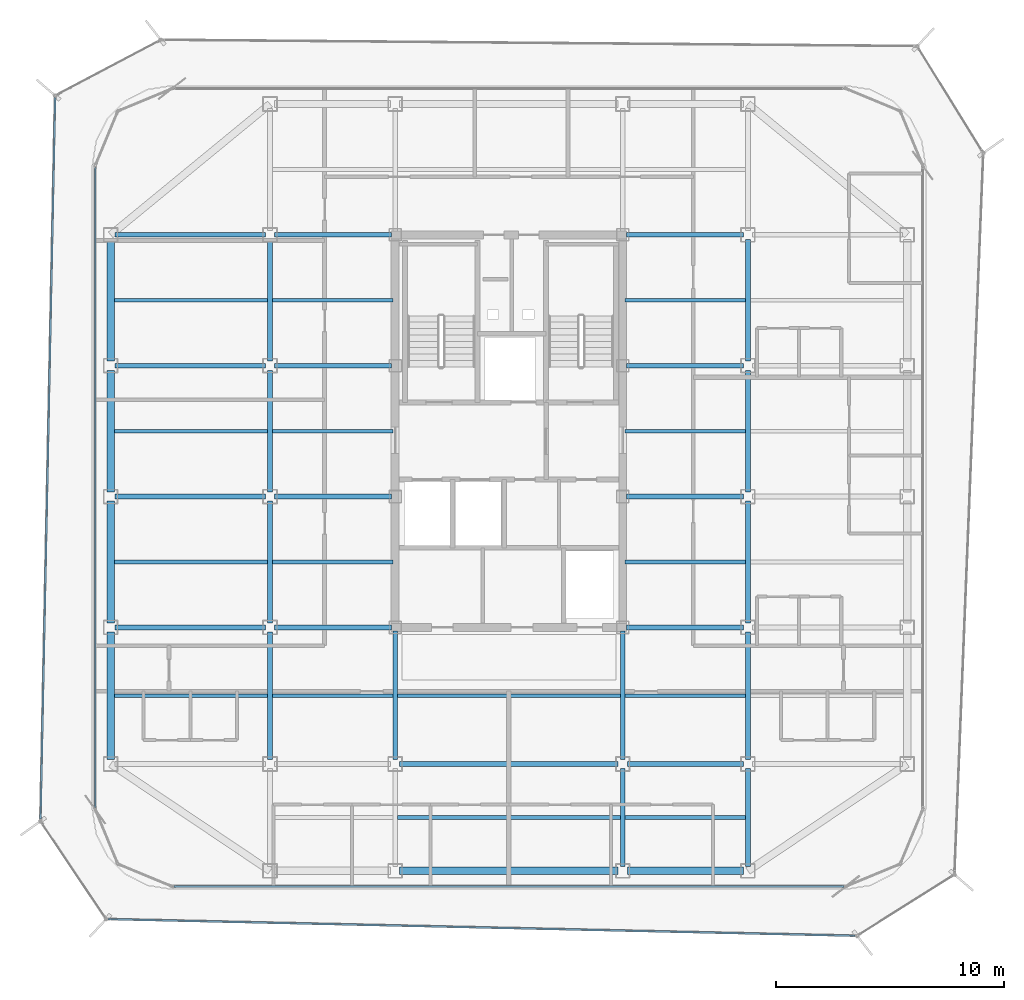
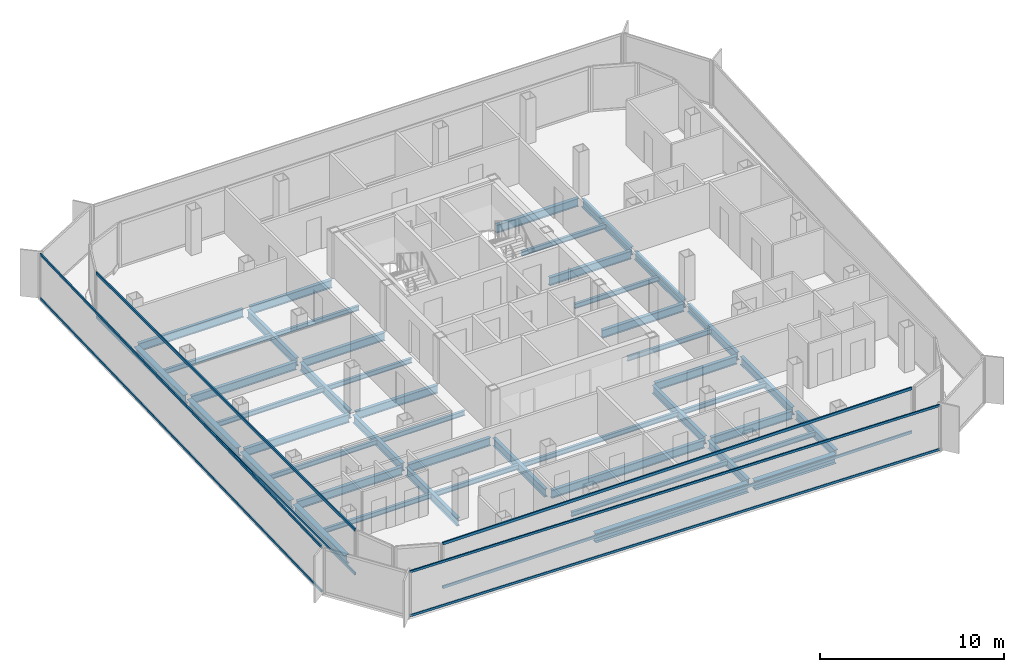
# One storey, part 3 of 15: 47 beams, 8 members, 4 elements without a shape of their own.
"""IFC4 building model written with IfcOpenShell, lengths in metres."""

from ifc_helpers import new_model, si_unit, direction, frame, origin, origin_2d, place, context, subcontext, project, spatial, hollow_rectangle, i_section, extrude, source, transform, mapped, material, layer, layer_set, material_profile, profile_set, type_object, element, aggregate, save


model = new_model("IFC4")

# Units and contexts
model_context = context("Model", 3, precision=1e-05, world=origin(), true_north=direction((0.0, 1.0)))
body_context = subcontext(model_context, "Body", "Model", "MODEL_VIEW")
ifc_project = project(units=[si_unit("LENGTHUNIT", "METRE"), si_unit("AREAUNIT", "SQUARE_METRE"), si_unit("VOLUMEUNIT", "CUBIC_METRE"), si_unit("PLANEANGLEUNIT", "RADIAN"), si_unit("MASSUNIT", "GRAM", prefix="KILO")], contexts=[model_context])

# Site, building, storey
site_placement = place(None, origin())
site = spatial("IfcSite", under=ifc_project, at=site_placement, CompositionType="ELEMENT")
building_placement = place(site_placement, origin())
building = spatial("IfcBuilding", under=site, at=building_placement, Name="Kolveth Station Tower", CompositionType="ELEMENT")
storey_placement = place(building_placement, frame((0.0, 0.0, 239.300048828125)))
storey = spatial("IfcBuildingStorey", under=building, at=storey_placement, Name="L68", CompositionType="ELEMENT", Elevation=239.300048828125)

# Beams
ifc_material_1 = material(Name="Steel S355", Category="steel")
ifc_material_profile_1 = material_profile(ifc_material_1, i_section(OverallWidth=0.323974609375, OverallDepth=0.611083984375, WebThickness=0.0126953125, FlangeThickness=0.01904296875, at=origin_2d()), Name="W610x155")
ifc_profile_set_1 = profile_set([ifc_material_profile_1], Name="Steel S355")
beam_type_1 = type_object("IfcBeamType", Name="Beam_SP2", PredefinedType="SPANDREL", material=ifc_profile_set_1)
shared_shape_1 = source(origin(), body_context, "Body", "SweptSolid", [
    extrude(i_section(OverallWidth=0.323974609375, OverallDepth=0.611083984375, WebThickness=0.0126953125, FlangeThickness=0.01904296875, at=origin_2d()), origin(), (0.0, 0.0, 1.0), 5.10009765625),
])
beam_1_placement = place(storey_placement, frame((28.699951171875, 0.800048828125, -0.525634765625), z_axis=(1.0, 0.0, 0.0), x_axis=(0.0, 1.0, 0.0)))
element("IfcBeam", 1, at=beam_1_placement, inside=storey, type_object=beam_type_1, Name="L68 Perimeter Spandrel BM-L68-PS-3", PredefinedType="SPANDREL", context=body_context, shape_type="MappedRepresentation", body=[
    mapped(shared_shape_1, transform((0.0, 0.0, 0.0), x_axis=(1.0, 0.0, 0.0), y_axis=(0.0, 1.0, 0.0), z_axis=(0.0, 0.0, 1.0), scale=1.0)),
])
shared_shape_2 = source(origin(), body_context, "Body", "SweptSolid", [
    extrude(i_section(OverallWidth=0.323974609375, OverallDepth=0.611083984375, WebThickness=0.0126953125, FlangeThickness=0.01904296875, at=origin_2d()), origin(), (0.0, 0.0, 1.0), 9.60009765625),
])
beam_2_placement = place(storey_placement, frame((18.699951171875, 0.800048828125, -0.525634765625), z_axis=(1.0, 0.0, 0.0), x_axis=(0.0, 1.0, 0.0)))
element("IfcBeam", 2, at=beam_2_placement, inside=storey, type_object=beam_type_1, Name="L68 Perimeter Spandrel BM-L68-PS-2", PredefinedType="SPANDREL", context=body_context, shape_type="MappedRepresentation", body=[
    mapped(shared_shape_2, transform((0.0, 0.0, 0.0), x_axis=(1.0, 0.0, 0.0), y_axis=(0.0, 1.0, 0.0), z_axis=(0.0, 0.0, 1.0), scale=1.0)),
])
shared_shape_3 = source(origin(), body_context, "Body", "SweptSolid", [
    extrude(i_section(OverallWidth=0.323974609375, OverallDepth=0.611083984375, WebThickness=0.0126953125, FlangeThickness=0.01904296875, at=origin_2d()), origin(), (0.0, 0.0, 1.0), 5.60009765625),
])
beam_3_placement = place(storey_placement, frame((6.0, 5.699951171875, -0.525634765625), z_axis=(0.0, 1.0, 0.0), x_axis=(-1.0, 0.0, 0.0)))
element("IfcBeam", 3, at=beam_3_placement, inside=storey, type_object=beam_type_1, Name="L68 Perimeter Spandrel BM-L68-PW-1", PredefinedType="SPANDREL", context=body_context, shape_type="MappedRepresentation", body=[
    mapped(shared_shape_3, transform((0.0, 0.0, 0.0), x_axis=(1.0, 0.0, 0.0), y_axis=(0.0, 1.0, 0.0), z_axis=(0.0, 0.0, 1.0), scale=1.0)),
])
shared_shape_4 = source(origin(), body_context, "Body", "SweptSolid", [
    extrude(i_section(OverallWidth=0.323974609375, OverallDepth=0.611083984375, WebThickness=0.0126953125, FlangeThickness=0.01904296875, at=origin_2d()), origin(), (0.0, 0.0, 1.0), 5.35009765625),
])
for number, where, z_axis, x_axis, name in (
    (4, (6.0, 11.699951171875, -0.525634765625), (0.0, 1.0, 0.0), (-1.0, 0.0, 0.0), "L68 Perimeter Spandrel BM-L68-PW-2"),
    (5, (6.0, 17.449951171875, -0.525634765625), (0.0, 1.0, 0.0), (-1.0, 0.0, 0.0), "L68 Perimeter Spandrel BM-L68-PW-3"),
    (6, (6.0, 23.199951171875, -0.525634765625), (0.0, 1.0, 0.0), (-1.0, 0.0, 0.0), "L68 Perimeter Spandrel BM-L68-PW-4"),
):
    element("IfcBeam", number, at=place(storey_placement, frame(where, z_axis=z_axis, x_axis=x_axis)), inside=storey, type_object=beam_type_1, Name=name, PredefinedType="SPANDREL", context=body_context, shape_type="MappedRepresentation", body=[
        mapped(shared_shape_4, transform((0.0, 0.0, 0.0), x_axis=(1.0, 0.0, 0.0), y_axis=(0.0, 1.0, 0.0), z_axis=(0.0, 0.0, 1.0), scale=1.0)),
    ])
ifc_material_profile_2 = material_profile(ifc_material_1, i_section(OverallWidth=0.2099609375, OverallDepth=0.537109375, WebThickness=0.010986328125, FlangeThickness=0.017333984375, at=origin_2d()), Name="W530x101")
ifc_profile_set_2 = profile_set([ifc_material_profile_2], Name="Steel S355")
beam_type_2 = type_object("IfcBeamType", Name="Beam_B6", PredefinedType="BEAM", material=ifc_profile_set_2)
shared_shape_5 = source(origin(), body_context, "Body", "SweptSolid", [
    extrude(i_section(OverallWidth=0.2099609375, OverallDepth=0.537109375, WebThickness=0.010986328125, FlangeThickness=0.017333984375, at=origin_2d()), origin(), (0.0, 0.0, 1.0), 6.60009765625),
])
for number, where, z_axis, x_axis, name in (
    (7, (6.199951171875, 11.5, -0.488525390625), (1.0, 0.0, 0.0), (0.0, 1.0, 0.0), "L68 Primary Girder BM-L68-GY115-1"),
    (8, (6.199951171875, 17.25, -0.488525390625), (1.0, 0.0, 0.0), (0.0, 1.0, 0.0), "L68 Primary Girder BM-L68-GY172-1"),
    (9, (6.199951171875, 23.0, -0.488525390625), (1.0, 0.0, 0.0), (0.0, 1.0, 0.0), "L68 Primary Girder BM-L68-GY230-1"),
    (10, (6.199951171875, 28.75, -0.488525390625), (1.0, 0.0, 0.0), (0.0, 1.0, 0.0), "L68 Primary Girder BM-L68-GY287-1"),
):
    element("IfcBeam", number, at=place(storey_placement, frame(where, z_axis=z_axis, x_axis=x_axis)), inside=storey, type_object=beam_type_2, Name=name, PredefinedType="BEAM", context=body_context, shape_type="MappedRepresentation", body=[
        mapped(shared_shape_5, transform((0.0, 0.0, 0.0), x_axis=(1.0, 0.0, 0.0), y_axis=(0.0, 1.0, 0.0), z_axis=(0.0, 0.0, 1.0), scale=1.0)),
    ])
shared_shape_6 = source(origin(), body_context, "Body", "SweptSolid", [
    extrude(i_section(OverallWidth=0.2099609375, OverallDepth=0.537109375, WebThickness=0.010986328125, FlangeThickness=0.017333984375, at=origin_2d()), origin(), (0.0, 0.0, 1.0), 5.10009765625),
])
beam_4_placement = place(storey_placement, frame((28.699951171875, 5.5, -0.488525390625), z_axis=(1.0, 0.0, 0.0), x_axis=(0.0, 1.0, 0.0)))
element("IfcBeam", 11, at=beam_4_placement, inside=storey, type_object=beam_type_2, Name="L68 Primary Girder BM-L68-GY55-4", PredefinedType="BEAM", context=body_context, shape_type="MappedRepresentation", body=[
    mapped(shared_shape_6, transform((0.0, 0.0, 0.0), x_axis=(1.0, 0.0, 0.0), y_axis=(0.0, 1.0, 0.0), z_axis=(0.0, 0.0, 1.0), scale=1.0)),
])
shared_shape_7 = source(origin(), body_context, "Body", "SweptSolid", [
    extrude(i_section(OverallWidth=0.2099609375, OverallDepth=0.537109375, WebThickness=0.010986328125, FlangeThickness=0.017333984375, at=origin_2d()), origin(), (0.0, 0.0, 1.0), 9.60009765625),
])
beam_5_placement = place(storey_placement, frame((18.699951171875, 5.5, -0.488525390625), z_axis=(1.0, 0.0, 0.0), x_axis=(0.0, 1.0, 0.0)))
element("IfcBeam", 12, at=beam_5_placement, inside=storey, type_object=beam_type_2, Name="L68 Primary Girder BM-L68-GY55-3", PredefinedType="BEAM", context=body_context, shape_type="MappedRepresentation", body=[
    mapped(shared_shape_7, transform((0.0, 0.0, 0.0), x_axis=(1.0, 0.0, 0.0), y_axis=(0.0, 1.0, 0.0), z_axis=(0.0, 0.0, 1.0), scale=1.0)),
])
shared_shape_8 = source(origin(), body_context, "Body", "SweptSolid", [
    extrude(i_section(OverallWidth=0.2099609375, OverallDepth=0.537109375, WebThickness=0.010986328125, FlangeThickness=0.017333984375, at=origin_2d()), origin(), (0.0, 0.0, 1.0), 5.14013671875),
])
for number, where, z_axis, x_axis, name in (
    (13, (13.199951171875, 11.5, -0.488525390625), (1.0, 0.0, 0.0), (0.0, 1.0, 0.0), "L68 Primary Girder BM-L68-GY115-2"),
    (14, (28.659912109375, 11.5, -0.488525390625), (1.0, 0.0, 0.0), (0.0, 1.0, 0.0), "L68 Primary Girder BM-L68-GY115-4"),
    (15, (13.199951171875, 17.25, -0.488525390625), (1.0, 0.0, 0.0), (0.0, 1.0, 0.0), "L68 Primary Girder BM-L68-GY172-2"),
    (16, (28.659912109375, 17.25, -0.488525390625), (1.0, 0.0, 0.0), (0.0, 1.0, 0.0), "L68 Primary Girder BM-L68-GY172-4"),
    (17, (13.199951171875, 23.0, -0.488525390625), (1.0, 0.0, 0.0), (0.0, 1.0, 0.0), "L68 Primary Girder BM-L68-GY230-2"),
    (18, (28.659912109375, 23.0, -0.488525390625), (1.0, 0.0, 0.0), (0.0, 1.0, 0.0), "L68 Primary Girder BM-L68-GY230-4"),
    (19, (13.199951171875, 28.75, -0.488525390625), (1.0, 0.0, 0.0), (0.0, 1.0, 0.0), "L68 Primary Girder BM-L68-GY287-2"),
    (20, (28.659912109375, 28.75, -0.488525390625), (1.0, 0.0, 0.0), (0.0, 1.0, 0.0), "L68 Primary Girder BM-L68-GY287-4"),
):
    element("IfcBeam", number, at=place(storey_placement, frame(where, z_axis=z_axis, x_axis=x_axis)), inside=storey, type_object=beam_type_2, Name=name, PredefinedType="BEAM", context=body_context, shape_type="MappedRepresentation", body=[
        mapped(shared_shape_8, transform((0.0, 0.0, 0.0), x_axis=(1.0, 0.0, 0.0), y_axis=(0.0, 1.0, 0.0), z_axis=(0.0, 0.0, 1.0), scale=1.0)),
    ])
shared_shape_9 = source(origin(), body_context, "Body", "SweptSolid", [
    extrude(i_section(OverallWidth=0.2099609375, OverallDepth=0.537109375, WebThickness=0.010986328125, FlangeThickness=0.017333984375, at=origin_2d()), origin(), (0.0, 0.0, 1.0), 4.300048828125),
])
for number, where, z_axis, x_axis, name in (
    (21, (28.5, 1.0, -0.488525390625), (0.0, 1.0, 0.0), (-1.0, 0.0, 0.0), "L68 Primary Girder BM-L68-GX285-1"),
    (22, (34.0, 1.0, -0.488525390625), (0.0, 1.0, 0.0), (-1.0, 0.0, 0.0), "L68 Primary Girder BM-L68-GX340-1"),
):
    element("IfcBeam", number, at=place(storey_placement, frame(where, z_axis=z_axis, x_axis=x_axis)), inside=storey, type_object=beam_type_2, Name=name, PredefinedType="BEAM", context=body_context, shape_type="MappedRepresentation", body=[
        mapped(shared_shape_9, transform((0.0, 0.0, 0.0), x_axis=(1.0, 0.0, 0.0), y_axis=(0.0, 1.0, 0.0), z_axis=(0.0, 0.0, 1.0), scale=1.0)),
    ])
shared_shape_10 = source(origin(), body_context, "Body", "SweptSolid", [
    extrude(i_section(OverallWidth=0.2099609375, OverallDepth=0.537109375, WebThickness=0.010986328125, FlangeThickness=0.017333984375, at=origin_2d()), origin(), (0.0, 0.0, 1.0), 5.60009765625),
])
for number, where, z_axis, x_axis, name in (
    (23, (13.0, 5.699951171875, -0.488525390625), (0.0, 1.0, 0.0), (-1.0, 0.0, 0.0), "L68 Primary Girder BM-L68-GX130-2"),
    (24, (34.0, 5.699951171875, -0.488525390625), (0.0, 1.0, 0.0), (-1.0, 0.0, 0.0), "L68 Primary Girder BM-L68-GX340-2"),
):
    element("IfcBeam", number, at=place(storey_placement, frame(where, z_axis=z_axis, x_axis=x_axis)), inside=storey, type_object=beam_type_2, Name=name, PredefinedType="BEAM", context=body_context, shape_type="MappedRepresentation", body=[
        mapped(shared_shape_10, transform((0.0, 0.0, 0.0), x_axis=(1.0, 0.0, 0.0), y_axis=(0.0, 1.0, 0.0), z_axis=(0.0, 0.0, 1.0), scale=1.0)),
    ])
shared_shape_11 = source(origin(), body_context, "Body", "SweptSolid", [
    extrude(i_section(OverallWidth=0.2099609375, OverallDepth=0.537109375, WebThickness=0.010986328125, FlangeThickness=0.017333984375, at=origin_2d()), origin(), (0.0, 0.0, 1.0), 5.35009765625),
])
for number, where, z_axis, x_axis, name in (
    (25, (13.0, 11.699951171875, -0.488525390625), (0.0, 1.0, 0.0), (-1.0, 0.0, 0.0), "L68 Primary Girder BM-L68-GX130-3"),
    (26, (13.0, 17.449951171875, -0.488525390625), (0.0, 1.0, 0.0), (-1.0, 0.0, 0.0), "L68 Primary Girder BM-L68-GX130-4"),
    (27, (13.0, 23.199951171875, -0.488525390625), (0.0, 1.0, 0.0), (-1.0, 0.0, 0.0), "L68 Primary Girder BM-L68-GX130-5"),
    (28, (34.0, 11.699951171875, -0.488525390625), (0.0, 1.0, 0.0), (-1.0, 0.0, 0.0), "L68 Primary Girder BM-L68-GX340-3"),
    (29, (34.0, 17.449951171875, -0.488525390625), (0.0, 1.0, 0.0), (-1.0, 0.0, 0.0), "L68 Primary Girder BM-L68-GX340-4"),
    (30, (34.0, 23.199951171875, -0.488525390625), (0.0, 1.0, 0.0), (-1.0, 0.0, 0.0), "L68 Primary Girder BM-L68-GX340-5"),
):
    element("IfcBeam", number, at=place(storey_placement, frame(where, z_axis=z_axis, x_axis=x_axis)), inside=storey, type_object=beam_type_2, Name=name, PredefinedType="BEAM", context=body_context, shape_type="MappedRepresentation", body=[
        mapped(shared_shape_11, transform((0.0, 0.0, 0.0), x_axis=(1.0, 0.0, 0.0), y_axis=(0.0, 1.0, 0.0), z_axis=(0.0, 0.0, 1.0), scale=1.0)),
    ])
shared_shape_12 = source(origin(), body_context, "Body", "SweptSolid", [
    extrude(i_section(OverallWidth=0.2099609375, OverallDepth=0.537109375, WebThickness=0.010986328125, FlangeThickness=0.017333984375, at=origin_2d()), origin(), (0.0, 0.0, 1.0), 5.64013671875),
])
for number, where, z_axis, x_axis, name in (
    (31, (18.5, 5.699951171875, -0.488525390625), (0.0, 1.0, 0.0), (-1.0, 0.0, 0.0), "L68 Primary Girder BM-L68-GX185-2"),
    (32, (28.5, 5.699951171875, -0.488525390625), (0.0, 1.0, 0.0), (-1.0, 0.0, 0.0), "L68 Primary Girder BM-L68-GX285-2"),
):
    element("IfcBeam", number, at=place(storey_placement, frame(where, z_axis=z_axis, x_axis=x_axis)), inside=storey, type_object=beam_type_2, Name=name, PredefinedType="BEAM", context=body_context, shape_type="MappedRepresentation", body=[
        mapped(shared_shape_12, transform((0.0, 0.0, 0.0), x_axis=(1.0, 0.0, 0.0), y_axis=(0.0, 1.0, 0.0), z_axis=(0.0, 0.0, 1.0), scale=1.0)),
    ])
ifc_material_profile_3 = material_profile(ifc_material_1, i_section(OverallWidth=0.1650390625, OverallDepth=0.31005859375, WebThickness=0.005859375, FlangeThickness=0.009765625, at=origin_2d()), Name="W310x39")
ifc_profile_set_3 = profile_set([ifc_material_profile_3], Name="Steel S355")
beam_type_3 = type_object("IfcBeamType", Name="Beam_J3", PredefinedType="JOIST", material=ifc_profile_set_3)
shared_shape_13 = source(origin(), body_context, "Body", "SweptSolid", [
    extrude(i_section(OverallWidth=0.1650390625, OverallDepth=0.31005859375, WebThickness=0.005859375, FlangeThickness=0.009765625, at=origin_2d()), origin(), (0.0, 0.0, 1.0), 6.737060546875),
])
for number, where, z_axis, x_axis, name in (
    (33, (6.159912109375, 8.5, -0.375), (1.0, 0.0, 0.0), (0.0, 1.0, 0.0), "L68 Secondary Joist JST-L68-1-2"),
    (34, (6.159912109375, 14.375, -0.375), (1.0, 0.0, 0.0), (0.0, 1.0, 0.0), "L68 Secondary Joist JST-L68-1-3"),
    (35, (6.159912109375, 20.125, -0.375), (1.0, 0.0, 0.0), (0.0, 1.0, 0.0), "L68 Secondary Joist JST-L68-1-4"),
    (36, (6.159912109375, 25.875, -0.375), (1.0, 0.0, 0.0), (0.0, 1.0, 0.0), "L68 Secondary Joist JST-L68-1-5"),
):
    element("IfcBeam", number, at=place(storey_placement, frame(where, z_axis=z_axis, x_axis=x_axis)), inside=storey, type_object=beam_type_3, Name=name, PredefinedType="JOIST", context=body_context, shape_type="MappedRepresentation", body=[
        mapped(shared_shape_13, transform((0.0, 0.0, 0.0), x_axis=(1.0, 0.0, 0.0), y_axis=(0.0, 1.0, 0.0), z_axis=(0.0, 0.0, 1.0), scale=1.0)),
    ])
shared_shape_14 = source(origin(), body_context, "Body", "SweptSolid", [
    extrude(i_section(OverallWidth=0.1650390625, OverallDepth=0.31005859375, WebThickness=0.005859375, FlangeThickness=0.009765625, at=origin_2d()), origin(), (0.0, 0.0, 1.0), 5.2939453125),
])
for number, where, z_axis, x_axis, name in (
    (37, (13.10302734375, 8.5, -0.375), (1.0, 0.0, 0.0), (0.0, 1.0, 0.0), "L68 Secondary Joist JST-L68-2-2"),
    (38, (13.10302734375, 14.375, -0.375), (1.0, 0.0, 0.0), (0.0, 1.0, 0.0), "L68 Secondary Joist JST-L68-2-3"),
    (39, (13.10302734375, 20.125, -0.375), (1.0, 0.0, 0.0), (0.0, 1.0, 0.0), "L68 Secondary Joist JST-L68-2-4"),
    (40, (13.10302734375, 25.875, -0.375), (1.0, 0.0, 0.0), (0.0, 1.0, 0.0), "L68 Secondary Joist JST-L68-2-5"),
    (41, (28.60302734375, 3.14990234375, -0.375), (1.0, 0.0, 0.0), (0.0, 1.0, 0.0), "L68 Secondary Joist JST-L68-4-1"),
    (42, (28.60302734375, 8.5, -0.375), (1.0, 0.0, 0.0), (0.0, 1.0, 0.0), "L68 Secondary Joist JST-L68-4-2"),
    (43, (28.60302734375, 14.375, -0.375), (1.0, 0.0, 0.0), (0.0, 1.0, 0.0), "L68 Secondary Joist JST-L68-4-3"),
    (44, (28.60302734375, 20.125, -0.375), (1.0, 0.0, 0.0), (0.0, 1.0, 0.0), "L68 Secondary Joist JST-L68-4-4"),
    (45, (28.60302734375, 25.875, -0.375), (1.0, 0.0, 0.0), (0.0, 1.0, 0.0), "L68 Secondary Joist JST-L68-4-5"),
):
    element("IfcBeam", number, at=place(storey_placement, frame(where, z_axis=z_axis, x_axis=x_axis)), inside=storey, type_object=beam_type_3, Name=name, PredefinedType="JOIST", context=body_context, shape_type="MappedRepresentation", body=[
        mapped(shared_shape_14, transform((0.0, 0.0, 0.0), x_axis=(1.0, 0.0, 0.0), y_axis=(0.0, 1.0, 0.0), z_axis=(0.0, 0.0, 1.0), scale=1.0)),
    ])
shared_shape_15 = source(origin(), body_context, "Body", "SweptSolid", [
    extrude(i_section(OverallWidth=0.1650390625, OverallDepth=0.31005859375, WebThickness=0.005859375, FlangeThickness=0.009765625, at=origin_2d()), origin(), (0.0, 0.0, 1.0), 9.7939453125),
])
for number, where, z_axis, x_axis, name in (
    (46, (18.60302734375, 3.14990234375, -0.375), (1.0, 0.0, 0.0), (0.0, 1.0, 0.0), "L68 Secondary Joist JST-L68-3-1"),
    (47, (18.60302734375, 8.5, -0.375), (1.0, 0.0, 0.0), (0.0, 1.0, 0.0), "L68 Secondary Joist JST-L68-3-2"),
):
    element("IfcBeam", number, at=place(storey_placement, frame(where, z_axis=z_axis, x_axis=x_axis)), inside=storey, type_object=beam_type_3, Name=name, PredefinedType="JOIST", context=body_context, shape_type="MappedRepresentation", body=[
        mapped(shared_shape_15, transform((0.0, 0.0, 0.0), x_axis=(1.0, 0.0, 0.0), y_axis=(0.0, 1.0, 0.0), z_axis=(0.0, 0.0, 1.0), scale=1.0)),
    ])

# Curtain wall, members
ifc_material_2 = material(Name="Aluminium 6063-T6 and triple low-E dark glass", Category="aluminium")
ifc_layer_1 = layer(ifc_material_2, 0.199951171875)
ifc_layer_set_1 = layer_set([ifc_layer_1], Name="Aluminium 6063-T6 and triple low-E dark glass")
curtain_wall_type_1 = type_object("IfcCurtainWallType", Name="CurtainWall_CW-Z3", PredefinedType="NOTDEFINED", material=ifc_layer_set_1)
curtain_wall_1_placement = place(storey_placement, origin())
curtain_wall_1 = element("IfcCurtainWall", 48, at=curtain_wall_1_placement, inside=storey, type_object=curtain_wall_type_1, Name="L68 Inner Thermal Curtain Wall 9", PredefinedType="NOTDEFINED")
ifc_material_3 = material(Name="Black anodized aluminium 6063-T6", Category="aluminium")
ifc_material_profile_4 = material_profile(ifc_material_3, hollow_rectangle(XDim=0.0849609375, YDim=0.179931640625, WallThickness=0.0048828125, at=origin_2d()), Name="ALU-85x180x5")
ifc_profile_set_4 = profile_set([ifc_material_profile_4], Name="Black anodized aluminium 6063-T6")
member_type_1 = type_object("IfcMemberType", Name="Transom_TR3", PredefinedType="USERDEFINED", material=ifc_profile_set_4)
shared_shape_16 = source(origin(), body_context, "Body", "SweptSolid", [
    extrude(hollow_rectangle(XDim=0.0849609375, YDim=0.179931640625, WallThickness=0.0048828125, at=origin_2d()), origin(), (0.0, 0.0, 1.0), 28.130126953125),
])
member_1_placement = place(storey_placement, frame((5.320068359375, 31.715087890625, 0.04248046875), z_axis=(0.0, -1.0, 0.0), x_axis=(1.0, 0.0, 0.0)))
member_1 = element("IfcMember", 49, at=member_1_placement, type_object=member_type_1, Name="CW-Z3 transom 1.1", ObjectType="TRANSOM", PredefinedType="USERDEFINED", context=body_context, shape_type="MappedRepresentation", body=[
    mapped(shared_shape_16, transform((0.0, 0.0, 0.0), x_axis=(1.0, 0.0, 0.0), y_axis=(0.0, 1.0, 0.0), z_axis=(0.0, 0.0, 1.0), scale=1.0)),
])
member_2_placement = place(storey_placement, frame((5.320068359375, 31.715087890625, 2.9375), z_axis=(0.0, -1.0, 0.0), x_axis=(1.0, 0.0, 0.0)))
member_2 = element("IfcMember", 50, at=member_2_placement, type_object=member_type_1, Name="CW-Z3 transom 1.2", ObjectType="TRANSOM", PredefinedType="USERDEFINED", context=body_context, shape_type="MappedRepresentation", body=[
    mapped(shared_shape_16, transform((0.0, 0.0, 0.0), x_axis=(1.0, 0.0, 0.0), y_axis=(0.0, 1.0, 0.0), z_axis=(0.0, 0.0, 1.0), scale=1.0)),
])
aggregate(curtain_wall_1, [member_1, member_2])

curtain_wall_2_placement = place(storey_placement, origin())
curtain_wall_2 = element("IfcCurtainWall", 51, at=curtain_wall_2_placement, inside=storey, type_object=curtain_wall_type_1, Name="L68 Inner Thermal Curtain Wall 12", PredefinedType="NOTDEFINED")
shared_shape_17 = source(origin(), body_context, "Body", "SweptSolid", [
    extrude(hollow_rectangle(XDim=0.0849609375, YDim=0.179931640625, WallThickness=0.0048828125, at=origin_2d()), origin(), (0.0, 0.0, 1.0), 29.43017578125),
])
member_3_placement = place(storey_placement, frame((8.784912109375, 0.1201171875, 0.04248046875), z_axis=(1.0, 0.0, 0.0), x_axis=(0.0, 1.0, 0.0)))
member_3 = element("IfcMember", 52, at=member_3_placement, type_object=member_type_1, Name="CW-Z3 transom 1.1", ObjectType="TRANSOM", PredefinedType="USERDEFINED", context=body_context, shape_type="MappedRepresentation", body=[
    mapped(shared_shape_17, transform((0.0, 0.0, 0.0), x_axis=(1.0, 0.0, 0.0), y_axis=(0.0, 1.0, 0.0), z_axis=(0.0, 0.0, 1.0), scale=1.0)),
])
member_4_placement = place(storey_placement, frame((8.784912109375, 0.1201171875, 2.9375), z_axis=(1.0, 0.0, 0.0), x_axis=(0.0, 1.0, 0.0)))
member_4 = element("IfcMember", 53, at=member_4_placement, type_object=member_type_1, Name="CW-Z3 transom 1.2", ObjectType="TRANSOM", PredefinedType="USERDEFINED", context=body_context, shape_type="MappedRepresentation", body=[
    mapped(shared_shape_17, transform((0.0, 0.0, 0.0), x_axis=(1.0, 0.0, 0.0), y_axis=(0.0, 1.0, 0.0), z_axis=(0.0, 0.0, 1.0), scale=1.0)),
])
aggregate(curtain_wall_2, [member_3, member_4])

ifc_material_4 = material(Name="Black anodized aluminium 6063-T6 and dark solar glass", Category="aluminium")
ifc_layer_2 = layer(ifc_material_4, 0.159912109375)
ifc_layer_set_2 = layer_set([ifc_layer_2], Name="Black anodized aluminium 6063-T6 and dark solar glass")
curtain_wall_type_2 = type_object("IfcCurtainWallType", Name="OUTER SKIN CW-OS", PredefinedType="NOTDEFINED", material=ifc_layer_set_2)
curtain_wall_3_placement = place(storey_placement, origin())
curtain_wall_3 = element("IfcCurtainWall", 54, at=curtain_wall_3_placement, inside=storey, type_object=curtain_wall_type_2, Name="L68 Outer Ventilated Skin Curtain Wall 6", PredefinedType="NOTDEFINED")
ifc_material_profile_5 = material_profile(ifc_material_3, hollow_rectangle(XDim=0.080078125, YDim=0.14990234375, WallThickness=0.0048828125, at=origin_2d()), Name="ALU-80x150x5")
ifc_profile_set_5 = profile_set([ifc_material_profile_5], Name="Black anodized aluminium 6063-T6")
member_type_2 = type_object("IfcMemberType", Name="Transom_TR-OS", PredefinedType="USERDEFINED", material=ifc_profile_set_5)
shared_shape_18 = source(origin(), body_context, "Body", "SweptSolid", [
    extrude(hollow_rectangle(XDim=0.080078125, YDim=0.14990234375, WallThickness=0.0048828125, at=origin_2d()), origin(), (0.0, 0.0, 1.0), 31.704345703125),
])
member_5_placement = place(storey_placement, frame((3.55908203125, 34.774658203125, 0.0400390625), z_axis=(-0.020198443281, -0.999795990635, 0.0), x_axis=(0.999795990635, -0.020198443281, 0.0)))
member_5 = element("IfcMember", 55, at=member_5_placement, type_object=member_type_2, Name="CW-OS transom 1.1", ObjectType="TRANSOM", PredefinedType="USERDEFINED", context=body_context, shape_type="MappedRepresentation", body=[
    mapped(shared_shape_18, transform((0.0, 0.0, 0.0), x_axis=(1.0, 0.0, 0.0), y_axis=(0.0, 1.0, 0.0), z_axis=(0.0, 0.0, 1.0), scale=1.0)),
])
member_6_placement = place(storey_placement, frame((3.55908203125, 34.774658203125, 2.949951171875), z_axis=(-0.020198443281, -0.999795990635, 0.0), x_axis=(0.999795990635, -0.020198443281, 0.0)))
member_6 = element("IfcMember", 56, at=member_6_placement, type_object=member_type_2, Name="CW-OS transom 1.2", ObjectType="TRANSOM", PredefinedType="USERDEFINED", context=body_context, shape_type="MappedRepresentation", body=[
    mapped(shared_shape_18, transform((0.0, 0.0, 0.0), x_axis=(1.0, 0.0, 0.0), y_axis=(0.0, 1.0, 0.0), z_axis=(0.0, 0.0, 1.0), scale=1.0)),
])
aggregate(curtain_wall_3, [member_5, member_6])

curtain_wall_4_placement = place(storey_placement, origin())
curtain_wall_4 = element("IfcCurtainWall", 57, at=curtain_wall_4_placement, inside=storey, type_object=curtain_wall_type_2, Name="L68 Outer Ventilated Skin Curtain Wall 8", PredefinedType="NOTDEFINED")
shared_shape_19 = source(origin(), body_context, "Body", "SweptSolid", [
    extrude(hollow_rectangle(XDim=0.080078125, YDim=0.14990234375, WallThickness=0.0048828125, at=origin_2d()), origin(), (0.0, 0.0, 1.0), 32.824951171875),
])
member_7_placement = place(storey_placement, frame((5.892578125, -1.317626953125, 0.0400390625), z_axis=(0.999751036634, -0.022312883021, 0.0), x_axis=(0.022312883021, 0.999751036634, 0.0)))
member_7 = element("IfcMember", 58, at=member_7_placement, type_object=member_type_2, Name="CW-OS transom 1.1", ObjectType="TRANSOM", PredefinedType="USERDEFINED", context=body_context, shape_type="MappedRepresentation", body=[
    mapped(shared_shape_19, transform((0.0, 0.0, 0.0), x_axis=(1.0, 0.0, 0.0), y_axis=(0.0, 1.0, 0.0), z_axis=(0.0, 0.0, 1.0), scale=1.0)),
])
member_8_placement = place(storey_placement, frame((5.892578125, -1.317626953125, 2.949951171875), z_axis=(0.999751036634, -0.022312883021, 0.0), x_axis=(0.022312883021, 0.999751036634, 0.0)))
member_8 = element("IfcMember", 59, at=member_8_placement, type_object=member_type_2, Name="CW-OS transom 1.2", ObjectType="TRANSOM", PredefinedType="USERDEFINED", context=body_context, shape_type="MappedRepresentation", body=[
    mapped(shared_shape_19, transform((0.0, 0.0, 0.0), x_axis=(1.0, 0.0, 0.0), y_axis=(0.0, 1.0, 0.0), z_axis=(0.0, 0.0, 1.0), scale=1.0)),
])
aggregate(curtain_wall_4, [member_7, member_8])

save(model, "model.ifc")
